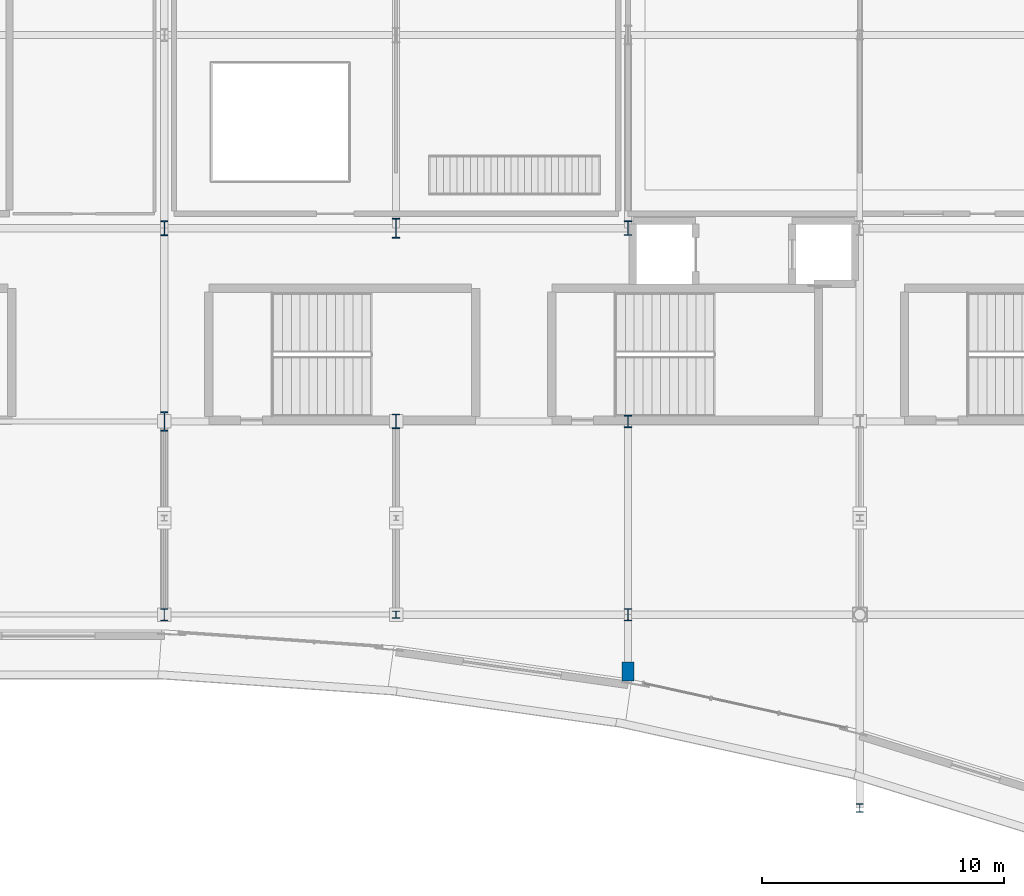
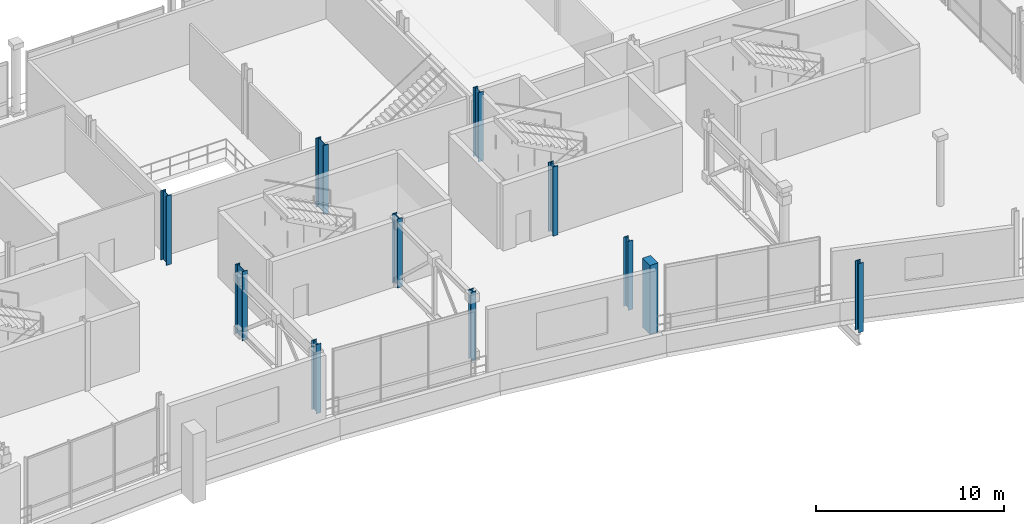
# One storey, part 5 of 193: 11 columns.
"""IFC4 building model written with IfcOpenShell, lengths in metres."""

from ifc_helpers import new_model, si_unit, direction, frame, origin, origin_2d, place, context, subcontext, project, spatial, rectangle, i_section, extrude, material, material_profile, profile_set, type_object, element, save


model = new_model("IFC4")

# Units and contexts
model_context = context("Model", 3, precision=1e-05, world=origin(), true_north=direction((0.0, 1.0)))
body_context = subcontext(model_context, "Body", "Model", "MODEL_VIEW")
ifc_project = project(units=[si_unit("LENGTHUNIT", "METRE"), si_unit("AREAUNIT", "SQUARE_METRE"), si_unit("VOLUMEUNIT", "CUBIC_METRE"), si_unit("PLANEANGLEUNIT", "RADIAN"), si_unit("MASSUNIT", "GRAM", prefix="KILO")], contexts=[model_context])

# Site, building, storey
site_placement = place(None, origin())
site = spatial("IfcSite", under=ifc_project, at=site_placement, CompositionType="ELEMENT")
building_placement = place(site_placement, origin())
building = spatial("IfcBuilding", under=site, at=building_placement, Name="Danafjord Basin Convention Centre", CompositionType="ELEMENT")
storey_placement = place(building_placement, frame((0.0, 0.0, 11.39990234375)))
storey = spatial("IfcBuildingStorey", under=building, at=storey_placement, Name="L02", CompositionType="ELEMENT", Elevation=11.39990234375)

# Columns
ifc_material_1 = material(Name="Steel S355", Category="steel")
ifc_material_profile_1 = material_profile(ifc_material_1, i_section(OverallWidth=0.300048828125, OverallDepth=0.300048828125, WebThickness=0.010986328125, FlangeThickness=0.01904296875, FilletRadius=0.027099609375, at=origin_2d()), Name="HEB 300")
ifc_profile_set_1 = profile_set([ifc_material_profile_1], Name="Steel S355")
column_type_1 = type_object("IfcColumnType", Name="COL-C-HEB300", PredefinedType="COLUMN", material=ifc_profile_set_1)
column_1_placement = place(storey_placement, frame((76.800048828125, 8.0, 0.0), z_axis=(0.0, 0.0, 1.0), x_axis=(1.0, 0.0, 0.0)))
element("IfcColumn", 1, at=column_1_placement, inside=storey, type_object=column_type_1, Name="L02 column C-HEB300 at (76.8, 8.0)", PredefinedType="COLUMN", context=body_context, shape_type="SweptSolid", body=[
    extrude(i_section(OverallWidth=0.300048828125, OverallDepth=0.300048828125, WebThickness=0.010986328125, FlangeThickness=0.01904296875, FilletRadius=0.027099609375, at=origin_2d()), origin(), (0.0, 0.0, 1.0), 4.5),
])
ifc_material_profile_2 = material_profile(ifc_material_1, i_section(OverallWidth=0.300048828125, OverallDepth=0.360107421875, WebThickness=0.012451171875, FlangeThickness=0.0224609375, FilletRadius=0.027099609375, at=origin_2d()), Name="HEB 360")
ifc_profile_set_2 = profile_set([ifc_material_profile_2], Name="Steel S355")
column_type_2 = type_object("IfcColumnType", Name="COL-C-HEB360", PredefinedType="COLUMN", material=ifc_profile_set_2)
column_2_placement = place(storey_placement, frame((96.0, 0.0, 0.0), z_axis=(0.0, 0.0, 1.0), x_axis=(1.0, 0.0, 0.0)))
element("IfcColumn", 2, at=column_2_placement, inside=storey, type_object=column_type_2, Name="L02 column C-HEB360 at (96.0, 0.0)", PredefinedType="COLUMN", context=body_context, shape_type="SweptSolid", body=[
    extrude(i_section(OverallWidth=0.300048828125, OverallDepth=0.360107421875, WebThickness=0.012451171875, FlangeThickness=0.0224609375, FilletRadius=0.027099609375, at=origin_2d()), origin(), (0.0, 0.0, 1.0), 4.5),
])
ifc_material_profile_3 = material_profile(ifc_material_1, i_section(OverallWidth=0.300048828125, OverallDepth=0.5, WebThickness=0.014404296875, FlangeThickness=0.028076171875, FilletRadius=0.027099609375, at=origin_2d()), Name="HEB 500")
ifc_profile_set_3 = profile_set([ifc_material_profile_3], Name="Steel S355")
column_type_3 = type_object("IfcColumnType", Name="COL-C-HEB500", PredefinedType="COLUMN", material=ifc_profile_set_3)
for number, where, z_axis, x_axis, name in (
    (3, (67.199951171875, 8.0, 0.0), (0.0, 0.0, 1.0), (1.0, 0.0, 0.0), "L02 column C-HEB500 at (67.2, 8.0)"),
    (4, (86.39990234375, 8.0, 0.0), (0.0, 0.0, 1.0), (1.0, 0.0, 0.0), "L02 column C-HEB500 at (86.4, 8.0)"),
):
    element("IfcColumn", number, at=place(storey_placement, frame(where, z_axis=z_axis, x_axis=x_axis)), inside=storey, type_object=column_type_3, Name=name, PredefinedType="COLUMN", context=body_context, shape_type="SweptSolid", body=[
        extrude(i_section(OverallWidth=0.300048828125, OverallDepth=0.5, WebThickness=0.014404296875, FlangeThickness=0.028076171875, FilletRadius=0.027099609375, at=origin_2d()), origin(), (0.0, 0.0, 1.0), 4.5),
    ])
ifc_material_profile_4 = material_profile(ifc_material_1, i_section(OverallWidth=0.300048828125, OverallDepth=0.60009765625, WebThickness=0.015380859375, FlangeThickness=0.030029296875, FilletRadius=0.027099609375, at=origin_2d()), Name="HEB 600")
ifc_profile_set_4 = profile_set([ifc_material_profile_4], Name="Steel S355")
column_type_4 = type_object("IfcColumnType", Name="COL-C-HEB600", PredefinedType="COLUMN", material=ifc_profile_set_4)
for number, where, z_axis, x_axis, name in (
    (5, (76.800048828125, 16.0, 0.0), (0.0, 0.0, 1.0), (1.0, 0.0, 0.0), "L02 column C-HEB600 at (76.8, 16.0)"),
    (6, (86.39990234375, 24.0, 0.0), (0.0, 0.0, 1.0), (1.0, 0.0, 0.0), "L02 column C-HEB600 at (86.4, 24.0)"),
):
    element("IfcColumn", number, at=place(storey_placement, frame(where, z_axis=z_axis, x_axis=x_axis)), inside=storey, type_object=column_type_4, Name=name, PredefinedType="COLUMN", context=body_context, shape_type="SweptSolid", body=[
        extrude(i_section(OverallWidth=0.300048828125, OverallDepth=0.60009765625, WebThickness=0.015380859375, FlangeThickness=0.030029296875, FilletRadius=0.027099609375, at=origin_2d()), origin(), (0.0, 0.0, 1.0), 4.5),
    ])
ifc_material_profile_5 = material_profile(ifc_material_1, i_section(OverallWidth=0.305908203125, OverallDepth=0.52392578125, WebThickness=0.02099609375, FlangeThickness=0.0400390625, FilletRadius=0.027099609375, at=origin_2d()), Name="HEM 500")
ifc_profile_set_5 = profile_set([ifc_material_profile_5], Name="Steel S355")
column_type_5 = type_object("IfcColumnType", Name="COL-C-HEM500", PredefinedType="COLUMN", material=ifc_profile_set_5)
column_3_placement = place(storey_placement, frame((86.39990234375, 16.0, 0.0), z_axis=(0.0, 0.0, 1.0), x_axis=(1.0, 0.0, 0.0)))
element("IfcColumn", 7, at=column_3_placement, inside=storey, type_object=column_type_5, Name="L02 column C-HEM500 at (86.4, 16.0)", PredefinedType="COLUMN", context=body_context, shape_type="SweptSolid", body=[
    extrude(i_section(OverallWidth=0.305908203125, OverallDepth=0.52392578125, WebThickness=0.02099609375, FlangeThickness=0.0400390625, FilletRadius=0.027099609375, at=origin_2d()), origin(), (0.0, 0.0, 1.0), 4.5),
])
ifc_material_profile_6 = material_profile(ifc_material_1, i_section(OverallWidth=0.304931640625, OverallDepth=0.6201171875, WebThickness=0.02099609375, FlangeThickness=0.0400390625, FilletRadius=0.027099609375, at=origin_2d()), Name="HEM 600")
ifc_profile_set_6 = profile_set([ifc_material_profile_6], Name="Steel S355")
column_type_6 = type_object("IfcColumnType", Name="COL-C-HEM600", PredefinedType="COLUMN", material=ifc_profile_set_6)
column_4_placement = place(storey_placement, frame((67.199951171875, 24.0, 0.0), z_axis=(0.0, 0.0, 1.0), x_axis=(1.0, 0.0, 0.0)))
element("IfcColumn", 8, at=column_4_placement, inside=storey, type_object=column_type_6, Name="L02 column C-HEM600 at (67.2, 24.0)", PredefinedType="COLUMN", context=body_context, shape_type="SweptSolid", body=[
    extrude(i_section(OverallWidth=0.304931640625, OverallDepth=0.6201171875, WebThickness=0.02099609375, FlangeThickness=0.0400390625, FilletRadius=0.027099609375, at=origin_2d()), origin(), (0.0, 0.0, 1.0), 4.5),
])
ifc_material_profile_7 = material_profile(ifc_material_1, i_section(OverallWidth=0.302978515625, OverallDepth=0.81396484375, WebThickness=0.02099609375, FlangeThickness=0.0400390625, FilletRadius=0.030029296875, at=origin_2d()), Name="HEM 800")
ifc_profile_set_7 = profile_set([ifc_material_profile_7], Name="Steel S355")
column_type_7 = type_object("IfcColumnType", Name="COL-C-HEM800", PredefinedType="COLUMN", material=ifc_profile_set_7)
for number, where, z_axis, x_axis, name in (
    (9, (67.199951171875, 16.0, 0.0), (0.0, 0.0, 1.0), (1.0, 0.0, 0.0), "L02 column C-HEM800 at (67.2, 16.0)"),
    (10, (76.800048828125, 24.0, 0.0), (0.0, 0.0, 1.0), (1.0, 0.0, 0.0), "L02 column C-HEM800 at (76.8, 24.0)"),
):
    element("IfcColumn", number, at=place(storey_placement, frame(where, z_axis=z_axis, x_axis=x_axis)), inside=storey, type_object=column_type_7, Name=name, PredefinedType="COLUMN", context=body_context, shape_type="SweptSolid", body=[
        extrude(i_section(OverallWidth=0.302978515625, OverallDepth=0.81396484375, WebThickness=0.02099609375, FlangeThickness=0.0400390625, FilletRadius=0.030029296875, at=origin_2d()), origin(), (0.0, 0.0, 1.0), 4.5),
    ])
ifc_material_2 = material(Name="Precast concrete C45/55", Category="concrete")
ifc_material_profile_8 = material_profile(ifc_material_2, rectangle(XDim=0.5, YDim=0.800048828125, at=origin_2d()), Name="PCB 500x800")
ifc_profile_set_8 = profile_set([ifc_material_profile_8], Name="Precast concrete C45/55")
column_type_8 = type_object("IfcColumnType", Name="COL-C-PIL800", PredefinedType="PILASTER", material=ifc_profile_set_8)
column_5_placement = place(storey_placement, frame((86.39990234375, 5.64306640625, 0.0), z_axis=(0.0, 0.0, 1.0), x_axis=(1.0, 0.0, 0.0)))
element("IfcColumn", 11, at=column_5_placement, inside=storey, type_object=column_type_8, Name="L02 column C-PIL800 at (86.4, 5.6)", PredefinedType="PILASTER", context=body_context, shape_type="SweptSolid", body=[
    extrude(rectangle(XDim=0.5, YDim=0.800048828125, at=origin_2d()), origin(), (0.0, 0.0, 1.0), 4.5),
])

save(model, "model.ifc")
